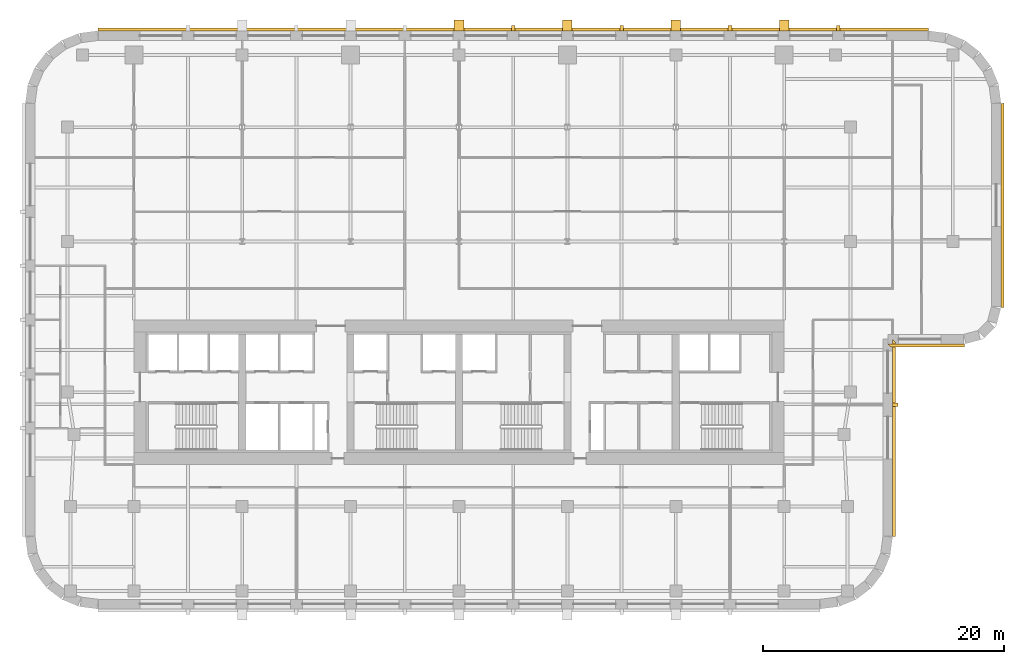
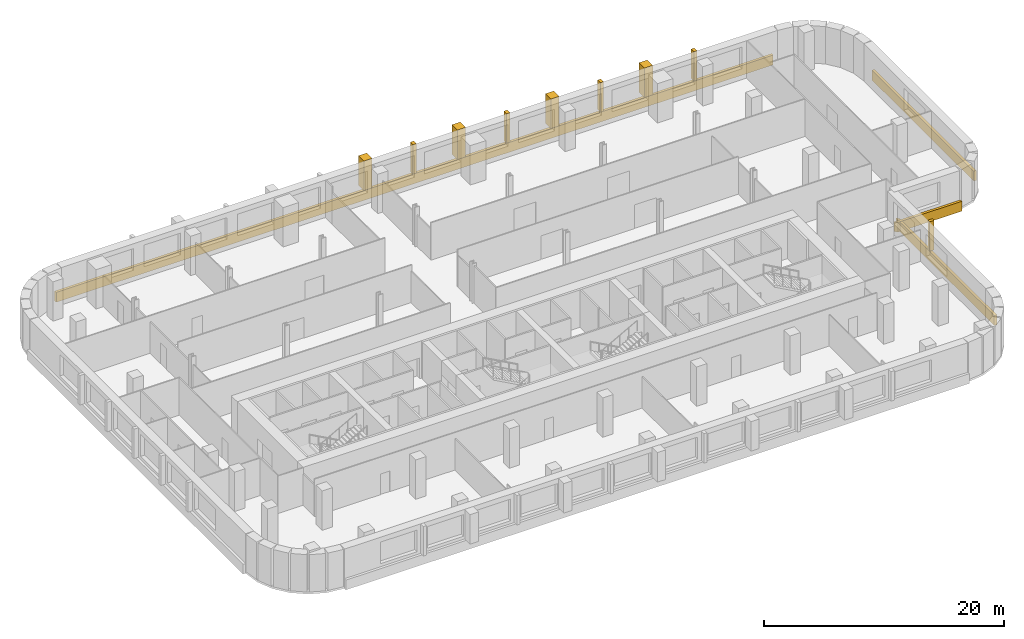
# One storey, part 10 of 10: 13 coverings.
"""IFC4 building model written with IfcOpenShell, lengths in metres."""

from ifc_helpers import new_model, si_unit, direction, frame, origin, place, context, subcontext, project, spatial, polyline, outline, extrude, material, layer, layer_set, type_object, element, save


model = new_model("IFC4")

# Units and contexts
model_context = context("Model", 3, precision=1e-05, world=origin(), true_north=direction((0.0, 1.0)))
body_context = subcontext(model_context, "Body", "Model", "MODEL_VIEW")
ifc_project = project(units=[si_unit("LENGTHUNIT", "METRE"), si_unit("AREAUNIT", "SQUARE_METRE"), si_unit("VOLUMEUNIT", "CUBIC_METRE"), si_unit("PLANEANGLEUNIT", "RADIAN"), si_unit("MASSUNIT", "GRAM", prefix="KILO")], contexts=[model_context])

# Site, building, storey
site_placement = place(None, origin())
site = spatial("IfcSite", under=ifc_project, at=site_placement, CompositionType="ELEMENT")
building_placement = place(site_placement, origin())
building = spatial("IfcBuilding", under=site, at=building_placement, Name="Zellij Exchange Tower", CompositionType="ELEMENT")
storey_placement = place(building_placement, frame((0.0, 0.0, 124.5)))
storey = spatial("IfcBuildingStorey", under=building, at=storey_placement, Name="L27", CompositionType="ELEMENT", Elevation=124.5)

# Coverings
ifc_material = material(Name="Limestone cladding", Category="masonry")
covering_type_1 = type_object("IfcCoveringType", Name="ENV-CV5 Stone pier 800x900", PredefinedType="CLADDING", material=ifc_material)
covering_1_placement = place(storey_placement, frame((0.0, 0.0, 0.800048828125)))
element("IfcCovering", 1, at=covering_1_placement, inside=storey, type_object=covering_type_1, Name="Stone pier", PredefinedType="CLADDING", context=body_context, shape_type="SweptSolid", body=[
    extrude(outline(polyline([(27.39990234375, 22.0), (26.60009765625, 22.0), (26.60009765625, 22.89990234375), (27.39990234375, 22.89990234375), (27.39990234375, 22.0)])), origin(), (0.0, 0.0, 1.0), 3.0),
])
covering_2_placement = place(storey_placement, frame((0.0, 0.0, 0.800048828125)))
element("IfcCovering", 2, at=covering_2_placement, inside=storey, type_object=covering_type_1, Name="Stone pier", PredefinedType="CLADDING", context=body_context, shape_type="SweptSolid", body=[
    extrude(outline(polyline([(18.39990234375, 22.0), (17.60009765625, 22.0), (17.60009765625, 22.89990234375), (18.39990234375, 22.89990234375), (18.39990234375, 22.0)])), origin(), (0.0, 0.0, 1.0), 3.0),
])
covering_3_placement = place(storey_placement, frame((0.0, 0.0, 0.800048828125)))
element("IfcCovering", 3, at=covering_3_placement, inside=storey, type_object=covering_type_1, Name="Stone pier", PredefinedType="CLADDING", context=body_context, shape_type="SweptSolid", body=[
    extrude(outline(polyline([(9.39990234375, 22.0), (8.60009765625, 22.0), (8.60009765625, 22.89990234375), (9.39990234375, 22.89990234375), (9.39990234375, 22.0)])), origin(), (0.0, 0.0, 1.0), 3.0),
])
covering_4_placement = place(storey_placement, frame((0.0, 0.0, 0.800048828125)))
element("IfcCovering", 4, at=covering_4_placement, inside=storey, type_object=covering_type_1, Name="Stone pier", PredefinedType="CLADDING", context=body_context, shape_type="SweptSolid", body=[
    extrude(outline(polyline([(0.39990234375, 22.0), (-0.39990234375, 22.0), (-0.39990234375, 22.89990234375), (0.39990234375, 22.89990234375), (0.39990234375, 22.0)])), origin(), (0.0, 0.0, 1.0), 3.0),
])
covering_type_2 = type_object("IfcCoveringType", Name="ENV-CV7 Stone pier 300x450", PredefinedType="CLADDING", material=ifc_material)
covering_5_placement = place(storey_placement, frame((0.0, 0.0, 0.800048828125)))
element("IfcCovering", 5, at=covering_5_placement, inside=storey, type_object=covering_type_2, Name="Stone pier", PredefinedType="CLADDING", context=body_context, shape_type="SweptSolid", body=[
    extrude(outline(polyline([(36.0, -9.2080078125), (36.0, -8.907958984375), (36.449951171875, -8.907958984375), (36.449951171875, -9.2080078125), (36.0, -9.2080078125)])), origin(), (0.0, 0.0, 1.0), 3.0),
])
covering_6_placement = place(storey_placement, frame((0.0, 0.0, 0.800048828125)))
element("IfcCovering", 6, at=covering_6_placement, inside=storey, type_object=covering_type_2, Name="Stone pier", PredefinedType="CLADDING", context=body_context, shape_type="SweptSolid", body=[
    extrude(outline(polyline([(31.64990234375, 22.0), (31.35009765625, 22.0), (31.35009765625, 22.449951171875), (31.64990234375, 22.449951171875), (31.64990234375, 22.0)])), origin(), (0.0, 0.0, 1.0), 3.0),
])
covering_7_placement = place(storey_placement, frame((0.0, 0.0, 0.800048828125)))
element("IfcCovering", 7, at=covering_7_placement, inside=storey, type_object=covering_type_2, Name="Stone pier", PredefinedType="CLADDING", context=body_context, shape_type="SweptSolid", body=[
    extrude(outline(polyline([(22.64990234375, 22.0), (22.35009765625, 22.0), (22.35009765625, 22.449951171875), (22.64990234375, 22.449951171875), (22.64990234375, 22.0)])), origin(), (0.0, 0.0, 1.0), 3.0),
])
covering_8_placement = place(storey_placement, frame((0.0, 0.0, 0.800048828125)))
element("IfcCovering", 8, at=covering_8_placement, inside=storey, type_object=covering_type_2, Name="Stone pier", PredefinedType="CLADDING", context=body_context, shape_type="SweptSolid", body=[
    extrude(outline(polyline([(13.64990234375, 22.0), (13.35009765625, 22.0), (13.35009765625, 22.449951171875), (13.64990234375, 22.449951171875), (13.64990234375, 22.0)])), origin(), (0.0, 0.0, 1.0), 3.0),
])
covering_9_placement = place(storey_placement, frame((0.0, 0.0, 0.800048828125)))
element("IfcCovering", 9, at=covering_9_placement, inside=storey, type_object=covering_type_2, Name="Stone pier", PredefinedType="CLADDING", context=body_context, shape_type="SweptSolid", body=[
    extrude(outline(polyline([(4.64990234375, 22.0), (4.35009765625, 22.0), (4.35009765625, 22.449951171875), (4.64990234375, 22.449951171875), (4.64990234375, 22.0)])), origin(), (0.0, 0.0, 1.0), 3.0),
])
ifc_layer = layer(ifc_material, 0.25)
ifc_layer_set = layer_set([ifc_layer], Name="Limestone cladding")
covering_type_3 = type_object("IfcCoveringType", Name="ENV-CV8 Stone spandrel band 250", PredefinedType="CLADDING", material=ifc_layer_set)
covering_10_placement = place(storey_placement, frame((0.0, 0.0, -0.199951171875)))
element("IfcCovering", 10, at=covering_10_placement, inside=storey, type_object=covering_type_3, Name="Stone spandrel band", PredefinedType="CLADDING", context=body_context, shape_type="SweptSolid", body=[
    extrude(outline(polyline([(36.0, -19.973876953125), (36.0, -3.60009765625), (36.25, -3.85009765625), (36.25, -19.990234375), (36.0, -19.973876953125)])), origin(), (0.0, 0.0, 1.0), 1.0),
])
covering_11_placement = place(storey_placement, frame((0.0, 0.0, -0.199951171875)))
element("IfcCovering", 11, at=covering_11_placement, inside=storey, type_object=covering_type_3, Name="Stone spandrel band", PredefinedType="CLADDING", context=body_context, shape_type="SweptSolid", body=[
    extrude(outline(polyline([(35.60009765625, -4.0), (41.947265625, -4.0), (41.980224609375, -4.25), (35.85009765625, -4.25), (35.60009765625, -4.0)])), origin(), (0.0, 0.0, 1.0), 1.0),
])
covering_12_placement = place(storey_placement, frame((0.0, 0.0, -0.199951171875)))
element("IfcCovering", 12, at=covering_12_placement, inside=storey, type_object=covering_type_3, Name="Stone spandrel band", PredefinedType="CLADDING", context=body_context, shape_type="SweptSolid", body=[
    extrude(outline(polyline([(45.0, -0.947265625), (45.0, 15.973876953125), (45.25, 15.990234375), (45.25, -0.980224609375), (45.0, -0.947265625)])), origin(), (0.0, 0.0, 1.0), 1.0),
])
covering_13_placement = place(storey_placement, frame((0.0, 0.0, -0.199951171875)))
element("IfcCovering", 13, at=covering_13_placement, inside=storey, type_object=covering_type_3, Name="Stone spandrel band", PredefinedType="CLADDING", context=body_context, shape_type="SweptSolid", body=[
    extrude(outline(polyline([(38.973876953125, 22.0), (-29.973876953125, 22.0), (-29.990234375, 22.25), (38.990234375, 22.25), (38.973876953125, 22.0)])), origin(), (0.0, 0.0, 1.0), 1.0),
])

save(model, "model.ifc")
